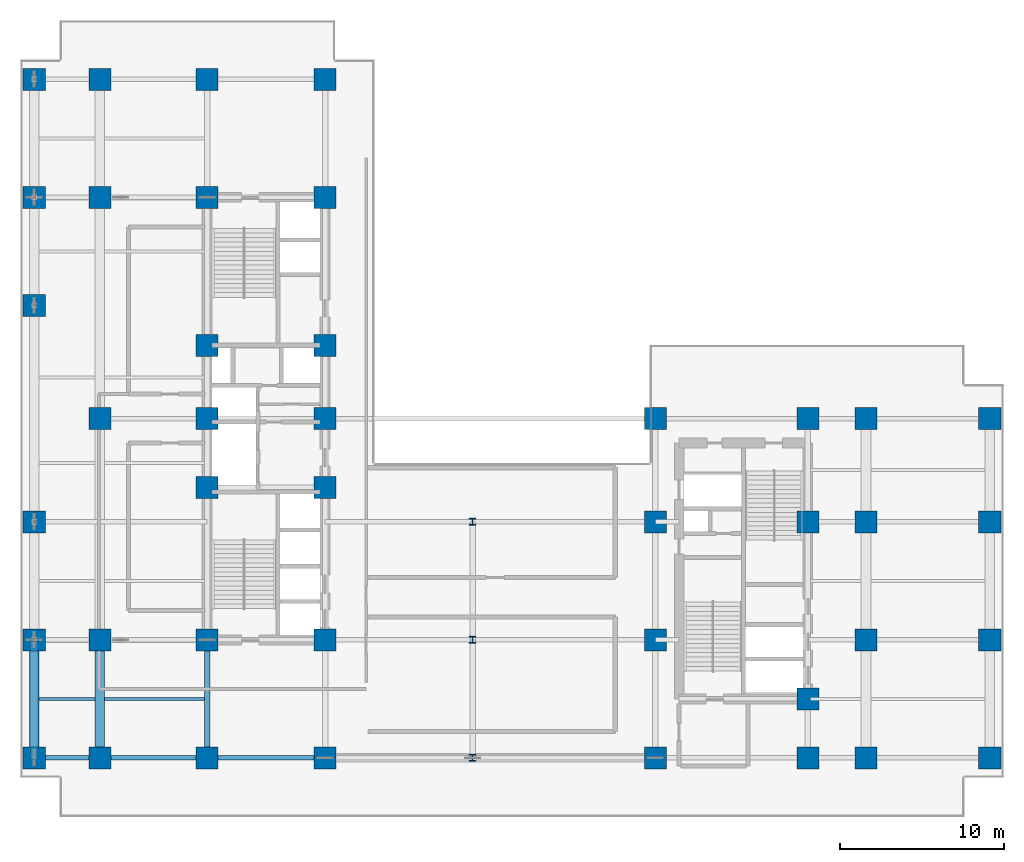
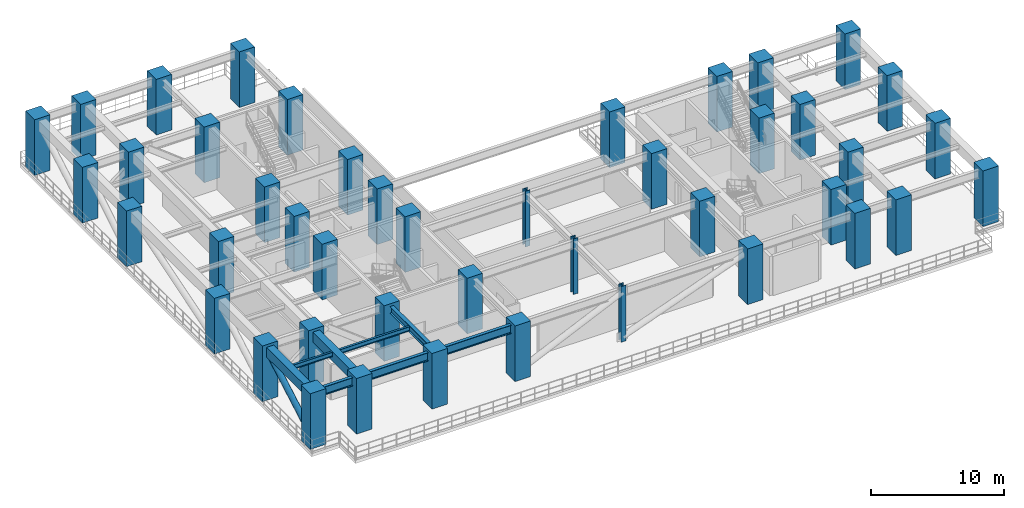
# One storey, part 1 of 15: 44 columns, 8 beams, 1 member.
"""IFC4 building model written with IfcOpenShell, lengths in metres."""

from ifc_helpers import new_model, entity, si_unit, converted_unit, direction, frame, origin_with_axes, origin_2d_with_axis, place, context, subcontext, project, spatial, rectangle, hollow_circle, i_section, extrude, material, material_profile, profile_set, type_object, element, save


model = new_model("IFC4")

# Units and contexts
model_context = context("Model", 3, precision=1e-05, world=origin_with_axes(), true_north=direction((0.0, 1.0)))
body_context = subcontext(model_context, "Body", "Model", "MODEL_VIEW")
ifc_project = project(units=[si_unit("LENGTHUNIT", "METRE"), si_unit("AREAUNIT", "SQUARE_METRE"), si_unit("VOLUMEUNIT", "CUBIC_METRE"), converted_unit("PLANEANGLEUNIT", "DEGREE", entity("IfcPlaneAngleMeasure", 0.017453292519943295), si_unit("PLANEANGLEUNIT", "RADIAN"), dimensions=[0, 0, 0, 0, 0, 0, 0]), si_unit("MASSUNIT", "GRAM", prefix="KILO"), si_unit("THERMODYNAMICTEMPERATUREUNIT", "KELVIN")], contexts=[model_context])

# Site, building, storey
site_placement = place(None, origin_with_axes())
site = spatial("IfcSite", under=ifc_project, at=site_placement, CompositionType="ELEMENT")
building_placement = place(site_placement, origin_with_axes())
building = spatial("IfcBuilding", under=site, at=building_placement, Name="Varnlund Millrace Tower", CompositionType="ELEMENT")
storey_placement = place(building_placement, frame((0.0, 0.0, 79.5), z_axis=(0.0, 0.0, 1.0), x_axis=(1.0, 0.0, 0.0)))
storey = spatial("IfcBuildingStorey", under=building, at=storey_placement, Name="L19", CompositionType="ELEMENT", Elevation=79.5)

# Columns
ifc_material_1 = material(Name="Steel ASTM A913 Grade 65", Category="steel")
ifc_material_profile_1 = material_profile(ifc_material_1, i_section(OverallWidth=0.406, OverallDepth=0.416, WebThickness=0.0298, FlangeThickness=0.048, FilletRadius=0.022, at=origin_2d_with_axis()), Name="Steel ASTM A913 Grade 65")
ifc_profile_set_1 = profile_set([ifc_material_profile_1], Name="Steel ASTM A913 Grade 65")
column_type_1 = type_object("IfcColumnType", Name="Type-Col-Int-W14X257", PredefinedType="COLUMN", material=ifc_profile_set_1)
for number, where, z_axis, x_axis, name in (
    (1, (27.6, 3.6, 0.0), (0.0, 0.0, 1.0), (1.0, 0.0, 0.0), "Type-Col-Int-W14X257"),
    (2, (27.6, 10.8, 0.0), (0.0, 0.0, 1.0), (1.0, 0.0, 0.0), "Type-Col-Int-W14X257"),
    (3, (27.6, 18.0, 0.0), (0.0, 0.0, 1.0), (1.0, 0.0, 0.0), "Type-Col-Int-W14X257"),
):
    element("IfcColumn", number, at=place(storey_placement, frame(where, z_axis=z_axis, x_axis=x_axis)), inside=storey, type_object=column_type_1, Name=name, PredefinedType="COLUMN", context=body_context, shape_type="SweptSolid", body=[
        extrude(i_section(OverallWidth=0.406, OverallDepth=0.416, WebThickness=0.0298, FlangeThickness=0.048, FilletRadius=0.022, at=origin_2d_with_axis()), origin_with_axes(), (0.0, 0.0, 1.0), 5.1),
    ])
ifc_material_2 = material(Name="Concrete C80/95", Category="concrete")
ifc_material_profile_2 = material_profile(ifc_material_2, rectangle(XDim=1.35, YDim=1.35, at=origin_2d_with_axis()), Name="Concrete C80/95")
ifc_profile_set_2 = profile_set([ifc_material_profile_2], Name="Concrete C80/95")
column_type_2 = type_object("IfcColumnType", Name="Type-Col-RC1350-C80", PredefinedType="COLUMN", material=ifc_profile_set_2)
for number, where, z_axis, x_axis, name in (
    (4, (11.4, 3.6, 0.0), (0.0, 0.0, 1.0), (1.0, 0.0, 0.0), "Type-Col-RC1350-C80"),
    (5, (11.4, 10.8, 0.0), (0.0, 0.0, 1.0), (1.0, 0.0, 0.0), "Type-Col-RC1350-C80"),
    (6, (11.4, 20.1, 0.0), (0.0, 0.0, 1.0), (1.0, 0.0, 0.0), "Type-Col-RC1350-C80"),
    (7, (11.4, 24.3, 0.0), (0.0, 0.0, 1.0), (1.0, 0.0, 0.0), "Type-Col-RC1350-C80"),
    (8, (11.4, 28.75, 0.0), (0.0, 0.0, 1.0), (1.0, 0.0, 0.0), "Type-Col-RC1350-C80"),
    (9, (11.4, 37.8, 0.0), (0.0, 0.0, 1.0), (1.0, 0.0, 0.0), "Type-Col-RC1350-C80"),
    (10, (11.4, 45.0, 0.0), (0.0, 0.0, 1.0), (1.0, 0.0, 0.0), "Type-Col-RC1350-C80"),
    (11, (18.6, 3.6, 0.0), (0.0, 0.0, 1.0), (1.0, 0.0, 0.0), "Type-Col-RC1350-C80"),
    (12, (18.6, 10.8, 0.0), (0.0, 0.0, 1.0), (1.0, 0.0, 0.0), "Type-Col-RC1350-C80"),
    (13, (18.6, 20.1, 0.0), (0.0, 0.0, 1.0), (1.0, 0.0, 0.0), "Type-Col-RC1350-C80"),
    (14, (18.6, 24.3, 0.0), (0.0, 0.0, 1.0), (1.0, 0.0, 0.0), "Type-Col-RC1350-C80"),
    (15, (18.6, 28.75, 0.0), (0.0, 0.0, 1.0), (1.0, 0.0, 0.0), "Type-Col-RC1350-C80"),
    (16, (18.6, 37.8, 0.0), (0.0, 0.0, 1.0), (1.0, 0.0, 0.0), "Type-Col-RC1350-C80"),
    (17, (18.6, 45.0, 0.0), (0.0, 0.0, 1.0), (1.0, 0.0, 0.0), "Type-Col-RC1350-C80"),
    (18, (4.85, 3.6, 0.0), (0.0, 0.0, 1.0), (1.0, 0.0, 0.0), "Type-Col-RC1350-C80"),
    (19, (4.85, 10.8, 0.0), (0.0, 0.0, 1.0), (1.0, 0.0, 0.0), "Type-Col-RC1350-C80"),
    (20, (4.85, 24.3, 0.0), (0.0, 0.0, 1.0), (1.0, 0.0, 0.0), "Type-Col-RC1350-C80"),
    (21, (4.85, 37.8, 0.0), (0.0, 0.0, 1.0), (1.0, 0.0, 0.0), "Type-Col-RC1350-C80"),
    (22, (4.85, 45.0, 0.0), (0.0, 0.0, 1.0), (1.0, 0.0, 0.0), "Type-Col-RC1350-C80"),
    (23, (0.85, 3.6, 0.0), (0.0, 0.0, 1.0), (1.0, 0.0, 0.0), "Type-Col-RC1350-C80"),
    (24, (0.85, 10.8, 0.0), (0.0, 0.0, 1.0), (1.0, 0.0, 0.0), "Type-Col-RC1350-C80"),
    (25, (0.85, 18.0, 0.0), (0.0, 0.0, 1.0), (1.0, 0.0, 0.0), "Type-Col-RC1350-C80"),
    (26, (0.85, 31.2, 0.0), (0.0, 0.0, 1.0), (1.0, 0.0, 0.0), "Type-Col-RC1350-C80"),
    (27, (0.85, 37.8, 0.0), (0.0, 0.0, 1.0), (1.0, 0.0, 0.0), "Type-Col-RC1350-C80"),
    (28, (0.85, 45.0, 0.0), (0.0, 0.0, 1.0), (1.0, 0.0, 0.0), "Type-Col-RC1350-C80"),
    (29, (38.75, 3.6, 0.0), (0.0, 0.0, 1.0), (1.0, 0.0, 0.0), "Type-Col-RC1350-C80"),
    (30, (38.75, 10.8, 0.0), (0.0, 0.0, 1.0), (1.0, 0.0, 0.0), "Type-Col-RC1350-C80"),
    (31, (38.75, 18.0, 0.0), (0.0, 0.0, 1.0), (1.0, 0.0, 0.0), "Type-Col-RC1350-C80"),
    (32, (38.75, 24.3, 0.0), (0.0, 0.0, 1.0), (1.0, 0.0, 0.0), "Type-Col-RC1350-C80"),
    (33, (48.05, 3.6, 0.0), (0.0, 0.0, 1.0), (1.0, 0.0, 0.0), "Type-Col-RC1350-C80"),
    (34, (48.05, 7.2, 0.0), (0.0, 0.0, 1.0), (1.0, 0.0, 0.0), "Type-Col-RC1350-C80"),
    (35, (48.05, 18.0, 0.0), (0.0, 0.0, 1.0), (1.0, 0.0, 0.0), "Type-Col-RC1350-C80"),
    (36, (48.05, 24.3, 0.0), (0.0, 0.0, 1.0), (1.0, 0.0, 0.0), "Type-Col-RC1350-C80"),
    (37, (51.6, 3.6, 0.0), (0.0, 0.0, 1.0), (1.0, 0.0, 0.0), "Type-Col-RC1350-C80"),
    (38, (51.6, 10.8, 0.0), (0.0, 0.0, 1.0), (1.0, 0.0, 0.0), "Type-Col-RC1350-C80"),
    (39, (51.6, 18.0, 0.0), (0.0, 0.0, 1.0), (1.0, 0.0, 0.0), "Type-Col-RC1350-C80"),
    (40, (51.6, 24.3, 0.0), (0.0, 0.0, 1.0), (1.0, 0.0, 0.0), "Type-Col-RC1350-C80"),
    (41, (59.15, 3.6, 0.0), (0.0, 0.0, 1.0), (1.0, 0.0, 0.0), "Type-Col-RC1350-C80"),
    (42, (59.15, 10.8, 0.0), (0.0, 0.0, 1.0), (1.0, 0.0, 0.0), "Type-Col-RC1350-C80"),
    (43, (59.15, 18.0, 0.0), (0.0, 0.0, 1.0), (1.0, 0.0, 0.0), "Type-Col-RC1350-C80"),
    (44, (59.15, 24.3, 0.0), (0.0, 0.0, 1.0), (1.0, 0.0, 0.0), "Type-Col-RC1350-C80"),
):
    element("IfcColumn", number, at=place(storey_placement, frame(where, z_axis=z_axis, x_axis=x_axis)), inside=storey, type_object=column_type_2, Name=name, PredefinedType="COLUMN", context=body_context, shape_type="SweptSolid", body=[
        extrude(rectangle(XDim=1.35, YDim=1.35, at=origin_2d_with_axis()), origin_with_axes(), (0.0, 0.0, 1.0), 5.1),
    ])

# Member
ifc_material_3 = material(Name="Steel ASTM A500 Grade C", Category="steel")
ifc_material_profile_3 = material_profile(ifc_material_3, hollow_circle(Radius=0.254, WallThickness=0.0147, at=origin_2d_with_axis()), Name="Steel ASTM A500 Grade C")
ifc_profile_set_3 = profile_set([ifc_material_profile_3], Name="Steel ASTM A500 Grade C")
member_type = type_object("IfcMemberType", Name="Type-Belt-Brace-CHS508", PredefinedType="BRACE", material=ifc_profile_set_3)
member_placement = place(storey_placement, frame((0.85, 3.6, 0.35), z_axis=(0.0, 0.868985, 0.494839), x_axis=(-1.0, 0.0, 0.0)))
element("IfcMember", 45, at=member_placement, inside=storey, type_object=member_type, Name="Type-Belt-Brace-CHS508", PredefinedType="BRACE", context=body_context, shape_type="SweptSolid", body=[
    extrude(hollow_circle(Radius=0.254, WallThickness=0.0147, at=origin_2d_with_axis()), origin_with_axes(), (0.0, 0.0, 1.0), 8.28553),
])

# Beams
ifc_material_4 = material(Name="Steel ASTM A992 Grade 50", Category="steel")
ifc_material_profile_4 = material_profile(ifc_material_4, i_section(OverallWidth=0.328, OverallDepth=0.628, WebThickness=0.0165, FlangeThickness=0.0277, FilletRadius=0.018, at=origin_2d_with_axis()), Name="Steel ASTM A992 Grade 50")
ifc_profile_set_4 = profile_set([ifc_material_profile_4], Name="Steel ASTM A992 Grade 50")
beam_type_1 = type_object("IfcBeamType", Name="Type-Girder-W24X146", PredefinedType="USERDEFINED", material=ifc_profile_set_4)
beam_1_placement = place(storey_placement, frame((11.4, 3.6, 4.546), z_axis=(0.0, 1.0, 0.0), x_axis=(-1.0, 0.0, 0.0)))
element("IfcBeam", 46, at=beam_1_placement, inside=storey, type_object=beam_type_1, Name="Type-Girder-W24X146", ObjectType="GIRDER", PredefinedType="USERDEFINED", context=body_context, shape_type="SweptSolid", body=[
    extrude(i_section(OverallWidth=0.328, OverallDepth=0.628, WebThickness=0.0165, FlangeThickness=0.0277, FilletRadius=0.018, at=origin_2d_with_axis()), origin_with_axes(), (0.0, 0.0, 1.0), 7.2),
])
ifc_material_profile_5 = material_profile(ifc_material_4, i_section(OverallWidth=0.266, OverallDepth=0.779, WebThickness=0.0165, FlangeThickness=0.03, FilletRadius=0.02, at=origin_2d_with_axis()), Name="Steel ASTM A992 Grade 50")
ifc_profile_set_5 = profile_set([ifc_material_profile_5], Name="Steel ASTM A992 Grade 50")
beam_type_2 = type_object("IfcBeamType", Name="Type-Girder-W30X148", PredefinedType="USERDEFINED", material=ifc_profile_set_5)
beam_2_placement = place(storey_placement, frame((0.85, 3.6, 4.4705), z_axis=(1.0, 0.0, 0.0), x_axis=(0.0, 1.0, 0.0)))
element("IfcBeam", 47, at=beam_2_placement, inside=storey, type_object=beam_type_2, Name="Type-Girder-W30X148", ObjectType="GIRDER", PredefinedType="USERDEFINED", context=body_context, shape_type="SweptSolid", body=[
    extrude(i_section(OverallWidth=0.266, OverallDepth=0.779, WebThickness=0.0165, FlangeThickness=0.03, FilletRadius=0.02, at=origin_2d_with_axis()), origin_with_axes(), (0.0, 0.0, 1.0), 4.0),
])
beam_3_placement = place(storey_placement, frame((4.85, 3.6, 4.4705), z_axis=(1.0, 0.0, 0.0), x_axis=(0.0, 1.0, 0.0)))
element("IfcBeam", 48, at=beam_3_placement, inside=storey, type_object=beam_type_2, Name="Type-Girder-W30X148", ObjectType="GIRDER", PredefinedType="USERDEFINED", context=body_context, shape_type="SweptSolid", body=[
    extrude(i_section(OverallWidth=0.266, OverallDepth=0.779, WebThickness=0.0165, FlangeThickness=0.03, FilletRadius=0.02, at=origin_2d_with_axis()), origin_with_axes(), (0.0, 0.0, 1.0), 6.55),
])
beam_4_placement = place(storey_placement, frame((11.4, 3.6, 4.4705), z_axis=(1.0, 0.0, 0.0), x_axis=(0.0, 1.0, 0.0)))
element("IfcBeam", 49, at=beam_4_placement, inside=storey, type_object=beam_type_2, Name="Type-Girder-W30X148", ObjectType="GIRDER", PredefinedType="USERDEFINED", context=body_context, shape_type="SweptSolid", body=[
    extrude(i_section(OverallWidth=0.266, OverallDepth=0.779, WebThickness=0.0165, FlangeThickness=0.03, FilletRadius=0.02, at=origin_2d_with_axis()), origin_with_axes(), (0.0, 0.0, 1.0), 7.2),
])
ifc_material_profile_6 = material_profile(ifc_material_4, i_section(OverallWidth=0.181, OverallDepth=0.417, WebThickness=0.0109, FlangeThickness=0.0182, FilletRadius=0.013, at=origin_2d_with_axis()), Name="Steel ASTM A992 Grade 50")
ifc_profile_set_6 = profile_set([ifc_material_profile_6], Name="Steel ASTM A992 Grade 50")
beam_type_3 = type_object("IfcBeamType", Name="Type-Joist-W16X57", PredefinedType="JOIST", material=ifc_profile_set_6)
beam_5_placement = place(storey_placement, frame((1.15, 7.2, 4.6515), z_axis=(1.0, 0.0, 0.0), x_axis=(0.0, 1.0, 0.0)))
element("IfcBeam", 50, at=beam_5_placement, inside=storey, type_object=beam_type_3, Name="Type-Joist-W16X57", PredefinedType="JOIST", context=body_context, shape_type="SweptSolid", body=[
    extrude(i_section(OverallWidth=0.181, OverallDepth=0.417, WebThickness=0.0109, FlangeThickness=0.0182, FilletRadius=0.013, at=origin_2d_with_axis()), origin_with_axes(), (0.0, 0.0, 1.0), 3.4),
])
beam_6_placement = place(storey_placement, frame((5.15, 7.2, 4.6515), z_axis=(1.0, 0.0, 0.0), x_axis=(0.0, 1.0, 0.0)))
element("IfcBeam", 51, at=beam_6_placement, inside=storey, type_object=beam_type_3, Name="Type-Joist-W16X57", PredefinedType="JOIST", context=body_context, shape_type="SweptSolid", body=[
    extrude(i_section(OverallWidth=0.181, OverallDepth=0.417, WebThickness=0.0109, FlangeThickness=0.0182, FilletRadius=0.013, at=origin_2d_with_axis()), origin_with_axes(), (0.0, 0.0, 1.0), 6.086),
])
ifc_material_5 = material(Name="Concrete C70/85", Category="concrete")
ifc_material_profile_7 = material_profile(ifc_material_5, rectangle(XDim=0.6, YDim=0.9, at=origin_2d_with_axis()), Name="Concrete C70/85")
ifc_profile_set_7 = profile_set([ifc_material_profile_7], Name="Concrete C70/85")
beam_type_4 = type_object("IfcBeamType", Name="Type-Spandrel-RC600X900", PredefinedType="SPANDREL", material=ifc_profile_set_7)
for number, where, z_axis, x_axis, name in (
    (52, (0.85, 3.6, 4.41), (0.0, 1.0, 0.0), (-1.0, 0.0, 0.0), "Type-Spandrel-RC600X900"),
    (53, (4.85, 3.6, 4.41), (0.0, 1.0, 0.0), (-1.0, 0.0, 0.0), "Type-Spandrel-RC600X900"),
):
    element("IfcBeam", number, at=place(storey_placement, frame(where, z_axis=z_axis, x_axis=x_axis)), inside=storey, type_object=beam_type_4, Name=name, PredefinedType="SPANDREL", context=body_context, shape_type="SweptSolid", body=[
        extrude(rectangle(XDim=0.6, YDim=0.9, at=origin_2d_with_axis()), origin_with_axes(), (0.0, 0.0, 1.0), 7.2),
    ])

save(model, "model.ifc")
